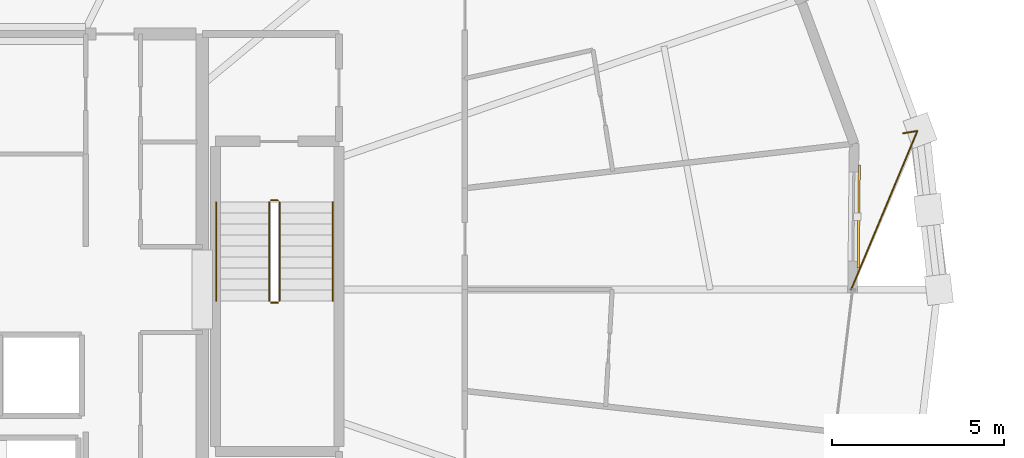
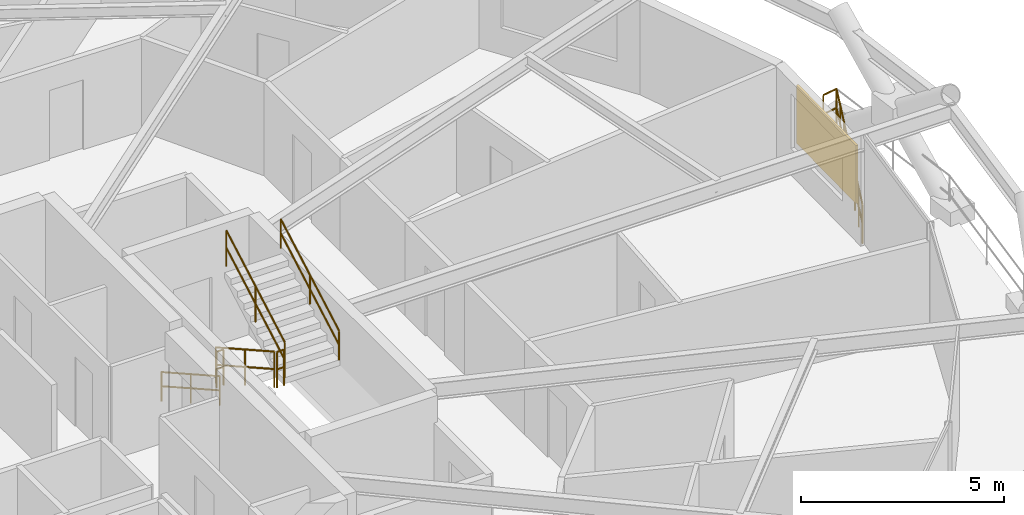
# One storey, part 21 of 21: 7 railings, 1 shading device.
"""IFC4 building model written with IfcOpenShell, lengths in metres."""

from ifc_helpers import new_model, si_unit, direction, frame, origin, origin_2d, place, context, subcontext, project, spatial, rectangle, circle, extrude, material, layer, layer_set, type_object, element, save


model = new_model("IFC4")

# Units and contexts
model_context = context("Model", 3, precision=1e-05, world=origin(), true_north=direction((0.0, 1.0)))
body_context = subcontext(model_context, "Body", "Model", "MODEL_VIEW")
ifc_project = project(units=[si_unit("LENGTHUNIT", "METRE"), si_unit("AREAUNIT", "SQUARE_METRE"), si_unit("VOLUMEUNIT", "CUBIC_METRE"), si_unit("PLANEANGLEUNIT", "RADIAN"), si_unit("MASSUNIT", "GRAM", prefix="KILO")], contexts=[model_context])

# Site, building, storey
site_placement = place(None, origin())
site = spatial("IfcSite", under=ifc_project, at=site_placement, CompositionType="ELEMENT")
building_placement = place(site_placement, origin())
building = spatial("IfcBuilding", under=site, at=building_placement, Name="Veldorina Hangang Commons", CompositionType="ELEMENT")
storey_placement = place(building_placement, frame((0.0, 0.0, 120.800048828125)))
storey = spatial("IfcBuildingStorey", under=building, at=storey_placement, Name="L30", CompositionType="ELEMENT", Elevation=120.800048828125)

# Railings
ifc_material_1 = material(Name="Glass Laminated Safety Balustrade", Category="glass")
railing_type_1 = type_object("IfcRailingType", Name="RL-BAL-LOGGIA", PredefinedType="BALUSTRADE", material=ifc_material_1)
railing_1_placement = place(storey_placement, frame((59.622802734375, 28.555419921875, 0.0)))
element("IfcRailing", 1, at=railing_1_placement, inside=storey, type_object=railing_type_1, Name="L30 sky-garden loggia end balustrade B", PredefinedType="BALUSTRADE", context=body_context, shape_type="SweptSolid", body=[
    extrude(circle(Radius=0.02392578125, at=origin_2d()), frame((0.0, 0.0, 1.17578125), z_axis=(0.986675153509, 0.162702616598, 0.0), x_axis=(-0.162702616598, 0.986675153509, 0.0)), (0.0, 0.0, 1.0), 0.420166015625),
    extrude(circle(Radius=0.02392578125, at=origin_2d()), frame((0.0, 0.0, 0.60009765625), z_axis=(0.986675153509, 0.162702616598, 0.0), x_axis=(-0.162702616598, 0.986675153509, 0.0)), (0.0, 0.0, 1.0), 0.420166015625),
    extrude(circle(Radius=0.02392578125, at=origin_2d()), frame((0.41455078125, 0.068359375, 1.17578125), z_axis=(-0.385269184413, -0.922804234679, 0.0), x_axis=(0.922804234679, -0.385269184413, 0.0)), (0.0, 0.0, 1.0), 5.010498046875),
    extrude(circle(Radius=0.02392578125, at=origin_2d()), frame((0.41455078125, 0.068359375, 0.60009765625), z_axis=(-0.385269184413, -0.922804234679, 0.0), x_axis=(0.922804234679, -0.385269184413, 0.0)), (0.0, 0.0, 1.0), 5.010498046875),
    extrude(circle(Radius=0.02099609375, at=origin_2d()), origin(), (0.0, 0.0, 1.0), 1.15185546875),
    extrude(circle(Radius=0.02099609375, at=origin_2d()), frame((0.41455078125, 0.068359375, 0.0)), (0.0, 0.0, 1.0), 1.15185546875),
    extrude(circle(Radius=0.02099609375, at=origin_2d()), frame((0.138671875, -0.59228515625, 0.0)), (0.0, 0.0, 1.0), 1.15185546875),
    extrude(circle(Radius=0.02099609375, at=origin_2d()), frame((-0.136962890625, -1.252685546875, 0.0)), (0.0, 0.0, 1.0), 1.15185546875),
    extrude(circle(Radius=0.02099609375, at=origin_2d()), frame((-0.412841796875, -1.913330078125, 0.0)), (0.0, 0.0, 1.0), 1.15185546875),
    extrude(circle(Radius=0.02099609375, at=origin_2d()), frame((-0.6884765625, -2.57373046875, 0.0)), (0.0, 0.0, 1.0), 1.15185546875),
    extrude(circle(Radius=0.02099609375, at=origin_2d()), frame((-0.96435546875, -3.234375, 0.0)), (0.0, 0.0, 1.0), 1.15185546875),
    extrude(circle(Radius=0.02099609375, at=origin_2d()), frame((-1.239990234375, -3.894775390625, 0.0)), (0.0, 0.0, 1.0), 1.15185546875),
    extrude(circle(Radius=0.02099609375, at=origin_2d()), frame((-1.515869140625, -4.555419921875, 0.0)), (0.0, 0.0, 1.0), 1.15185546875),
])
ifc_material_2 = material(Name="Steel Painted Balustrade", Category="steel")
railing_type_2 = type_object("IfcRailingType", Name="RL-GRD-STAIR", PredefinedType="GUARDRAIL", material=ifc_material_2)
railing_2_placement = place(storey_placement, frame((41.14990234375, 26.550048828125, 0.179931640625)))
element("IfcRailing", 2, at=railing_2_placement, inside=storey, type_object=railing_type_2, Name="L30 ST-2 stair guard 1", PredefinedType="GUARDRAIL", context=body_context, shape_type="SweptSolid", body=[
    extrude(circle(Radius=0.02392578125, at=origin_2d()), frame((0.0, 0.0, 1.076171875), z_axis=(0.0, -0.871569617843, 0.490271762652), x_axis=(1.0, 0.0, 0.0)), (0.0, 0.0, 1.0), 3.304443359375),
    extrude(circle(Radius=0.02392578125, at=origin_2d()), frame((0.0, 0.0, 0.550048828125), z_axis=(0.0, -0.871569617843, 0.490271762652), x_axis=(1.0, 0.0, 0.0)), (0.0, 0.0, 1.0), 3.304443359375),
    extrude(circle(Radius=0.02099609375, at=origin_2d()), origin(), (0.0, 0.0, 1.0), 1.052001953125),
    extrude(circle(Radius=0.02099609375, at=origin_2d()), frame((0.0, -1.43994140625, 0.81005859375)), (0.0, 0.0, 1.0), 1.052001953125),
    extrude(circle(Radius=0.02099609375, at=origin_2d()), frame((0.0, -2.880126953125, 1.6201171875)), (0.0, 0.0, 1.0), 1.052001953125),
])
railing_3_placement = place(storey_placement, frame((41.199951171875, 23.6201171875, 1.800048828125)))
element("IfcRailing", 3, at=railing_3_placement, inside=storey, type_object=railing_type_2, Name="L30 ST-2 stair guard 2", PredefinedType="GUARDRAIL", context=body_context, shape_type="SweptSolid", body=[
    extrude(circle(Radius=0.02392578125, at=origin_2d()), frame((0.0, 0.0, 1.076171875), z_axis=(1.0, 0.0, 0.0), x_axis=(0.0, 1.0, 0.0)), (0.0, 0.0, 1.0), 0.199951171875),
    extrude(circle(Radius=0.02392578125, at=origin_2d()), frame((0.0, 0.0, 0.550048828125), z_axis=(1.0, 0.0, 0.0), x_axis=(0.0, 1.0, 0.0)), (0.0, 0.0, 1.0), 0.199951171875),
    extrude(circle(Radius=0.02099609375, at=origin_2d()), origin(), (0.0, 0.0, 1.0), 1.052001953125),
    extrude(circle(Radius=0.02099609375, at=origin_2d()), frame((0.199951171875, 0.0, 0.0)), (0.0, 0.0, 1.0), 1.052001953125),
])
railing_4_placement = place(storey_placement, frame((41.449951171875, 23.669921875, 1.97998046875)))
element("IfcRailing", 4, at=railing_4_placement, inside=storey, type_object=railing_type_2, Name="L30 ST-2 stair guard 3", PredefinedType="GUARDRAIL", context=body_context, shape_type="SweptSolid", body=[
    extrude(circle(Radius=0.02392578125, at=origin_2d()), frame((0.0, 0.0, 1.076171875), z_axis=(0.0, 0.871601186807, 0.490215637405), x_axis=(-1.0, 0.0, 0.0)), (0.0, 0.0, 1.0), 3.304443359375),
    extrude(circle(Radius=0.02392578125, at=origin_2d()), frame((0.0, 0.0, 0.550048828125), z_axis=(0.0, 0.871601186807, 0.490215637405), x_axis=(-1.0, 0.0, 0.0)), (0.0, 0.0, 1.0), 3.304443359375),
    extrude(circle(Radius=0.02099609375, at=origin_2d()), origin(), (0.0, 0.0, 1.0), 1.052001953125),
    extrude(circle(Radius=0.02099609375, at=origin_2d()), frame((0.0, 1.43994140625, 0.81005859375)), (0.0, 0.0, 1.0), 1.052001953125),
    extrude(circle(Radius=0.02099609375, at=origin_2d()), frame((0.0, 2.880126953125, 1.619873046875)), (0.0, 0.0, 1.0), 1.052001953125),
])
railing_5_placement = place(storey_placement, frame((41.199951171875, 26.60009765625, 0.0)))
element("IfcRailing", 5, at=railing_5_placement, inside=storey, type_object=railing_type_2, Name="L30 ST-2 stair guard 4", PredefinedType="GUARDRAIL", context=body_context, shape_type="SweptSolid", body=[
    extrude(circle(Radius=0.02392578125, at=origin_2d()), frame((0.0, 0.0, 1.076171875), z_axis=(1.0, 0.0, 0.0), x_axis=(0.0, 1.0, 0.0)), (0.0, 0.0, 1.0), 0.199951171875),
    extrude(circle(Radius=0.02392578125, at=origin_2d()), frame((0.0, 0.0, 0.550048828125), z_axis=(1.0, 0.0, 0.0), x_axis=(0.0, 1.0, 0.0)), (0.0, 0.0, 1.0), 0.199951171875),
    extrude(circle(Radius=0.02099609375, at=origin_2d()), origin(), (0.0, 0.0, 1.0), 1.052001953125),
    extrude(circle(Radius=0.02099609375, at=origin_2d()), frame((0.199951171875, 0.0, 0.0)), (0.0, 0.0, 1.0), 1.052001953125),
])
ifc_material_3 = material(Name="Stainless Steel Brushed 316", Category="steel")
railing_type_3 = type_object("IfcRailingType", Name="RL-HND-STAIR", PredefinedType="HANDRAIL", material=ifc_material_3)
railing_6_placement = place(storey_placement, frame((39.60009765625, 26.550048828125, 0.179931640625)))
element("IfcRailing", 6, at=railing_6_placement, inside=storey, type_object=railing_type_3, Name="L30 ST-2 stair handrail 1", PredefinedType="HANDRAIL", context=body_context, shape_type="SweptSolid", body=[
    extrude(circle(Radius=0.02392578125, at=origin_2d()), frame((0.0, 0.0, 0.8759765625), z_axis=(0.0, -0.871569617843, 0.490271762652), x_axis=(1.0, 0.0, 0.0)), (0.0, 0.0, 1.0), 3.304443359375),
    extrude(circle(Radius=0.02392578125, at=origin_2d()), frame((0.0, 0.0, 0.449951171875), z_axis=(0.0, -0.871569617843, 0.490271762652), x_axis=(1.0, 0.0, 0.0)), (0.0, 0.0, 1.0), 3.304443359375),
    extrude(circle(Radius=0.02099609375, at=origin_2d()), origin(), (0.0, 0.0, 1.0), 0.851806640625),
    extrude(circle(Radius=0.02099609375, at=origin_2d()), frame((0.0, -1.43994140625, 0.81005859375)), (0.0, 0.0, 1.0), 0.851806640625),
    extrude(circle(Radius=0.02099609375, at=origin_2d()), frame((0.0, -2.880126953125, 1.6201171875)), (0.0, 0.0, 1.0), 0.851806640625),
])
railing_7_placement = place(storey_placement, frame((43.0, 23.669921875, 1.97998046875)))
element("IfcRailing", 7, at=railing_7_placement, inside=storey, type_object=railing_type_3, Name="L30 ST-2 stair handrail 2", PredefinedType="HANDRAIL", context=body_context, shape_type="SweptSolid", body=[
    extrude(circle(Radius=0.02392578125, at=origin_2d()), frame((0.0, 0.0, 0.8759765625), z_axis=(0.0, 0.871601186807, 0.490215637405), x_axis=(-1.0, 0.0, 0.0)), (0.0, 0.0, 1.0), 3.304443359375),
    extrude(circle(Radius=0.02392578125, at=origin_2d()), frame((0.0, 0.0, 0.449951171875), z_axis=(0.0, 0.871601186807, 0.490215637405), x_axis=(-1.0, 0.0, 0.0)), (0.0, 0.0, 1.0), 3.304443359375),
    extrude(circle(Radius=0.02099609375, at=origin_2d()), origin(), (0.0, 0.0, 1.0), 0.851806640625),
    extrude(circle(Radius=0.02099609375, at=origin_2d()), frame((0.0, 1.43994140625, 0.81005859375)), (0.0, 0.0, 1.0), 0.851806640625),
    extrude(circle(Radius=0.02099609375, at=origin_2d()), frame((0.0, 2.880126953125, 1.619873046875)), (0.0, 0.0, 1.0), 0.851806640625),
])

# Shading device
ifc_material_4 = material(Name="Ceramic Glazed Terracotta", Category="masonry")
ifc_layer = layer(ifc_material_4, 0.06005859375)
ifc_layer_set = layer_set([ifc_layer], Name="Ceramic Glazed Terracotta")
shading_device_type = type_object("IfcShadingDeviceType", Name="SCR-CER-3000", PredefinedType="USERDEFINED", material=ifc_layer_set)
shading_device_placement = place(storey_placement, frame((58.330322265625, 26.12548828125, 0.75), z_axis=(0.0, 0.0, 1.0), x_axis=(0.010995352723, 0.999939549282, 0.0)))
element("IfcShadingDevice", 8, at=shading_device_placement, inside=storey, type_object=shading_device_type, Name="L30 PERFORATED CERAMIC SOLAR SCREEN 00", ObjectType="SCREEN", PredefinedType="USERDEFINED", context=body_context, shape_type="SweptSolid", body=[
    extrude(rectangle(XDim=3.0, YDim=0.06005859375, at=origin_2d()), origin(), (0.0, 0.0, 1.0), 1.75),
])

save(model, "model.ifc")
